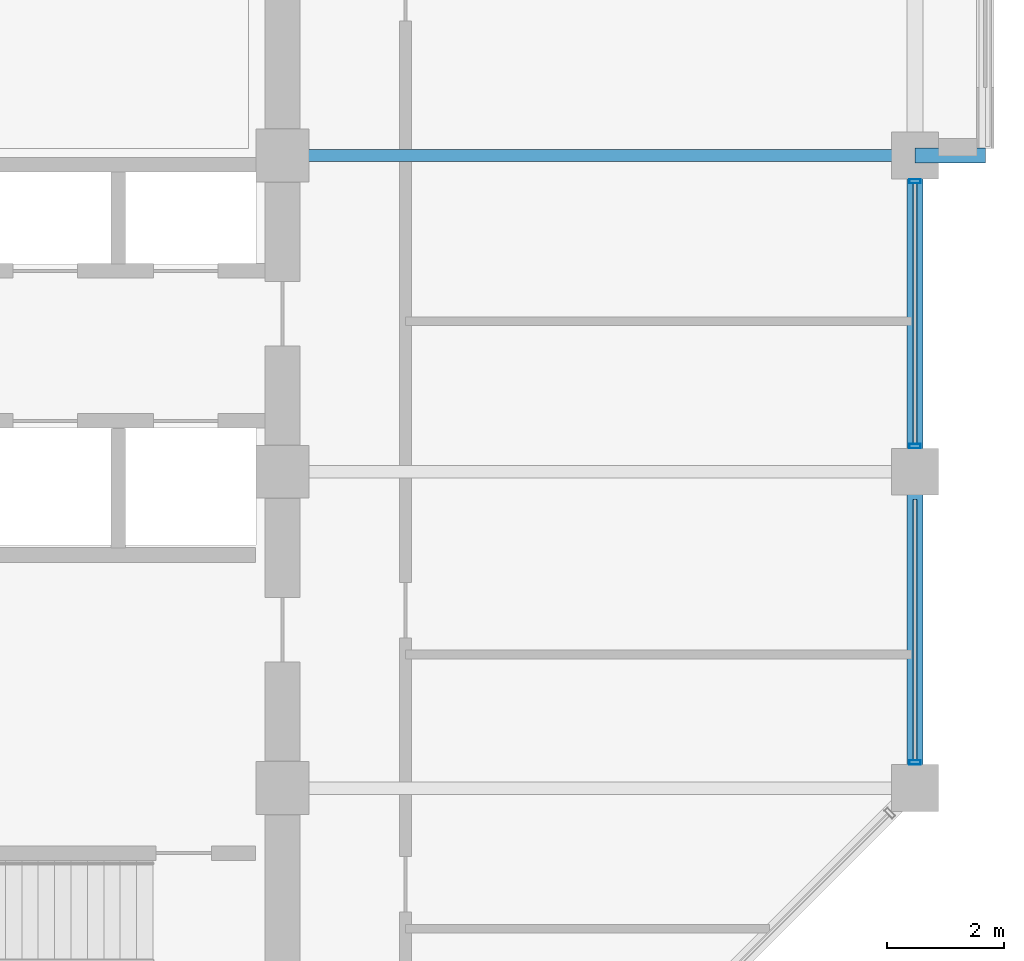
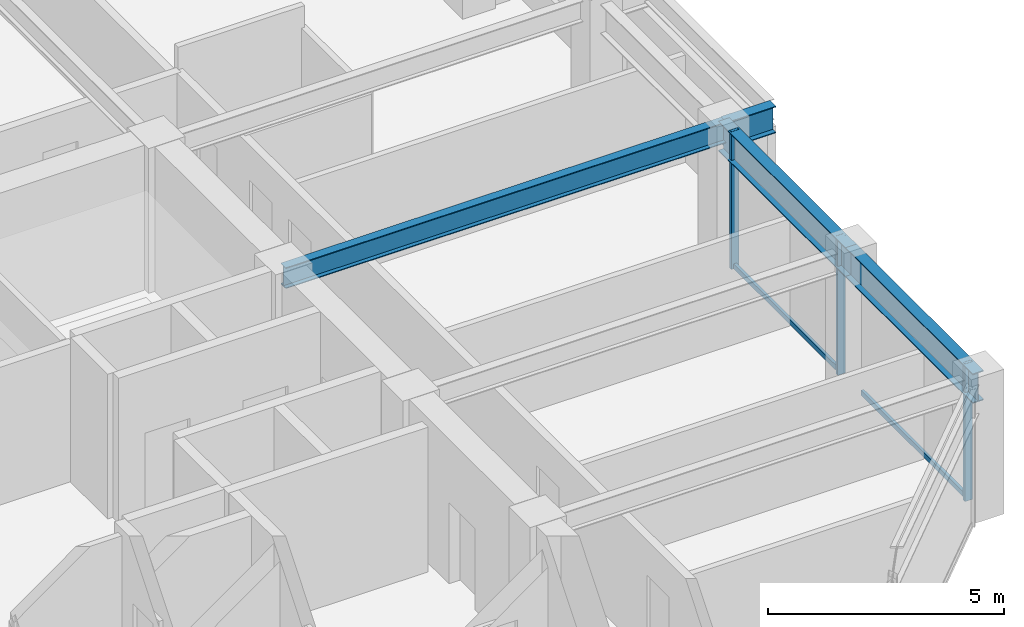
# One storey, part 14 of 32: 5 members, 4 beams, 1 element without a shape of its own.
"""IFC4 building model written with IfcOpenShell, lengths in metres."""

from ifc_helpers import new_model, si_unit, direction, frame, origin, origin_2d, place, context, subcontext, project, spatial, hollow_rectangle, i_section, extrude, material, layer, layer_set, material_profile, profile_set, type_object, element, aggregate, save


model = new_model("IFC4")

# Units and contexts
model_context = context("Model", 3, precision=1e-05, world=origin(), true_north=direction((0.0, 1.0)))
body_context = subcontext(model_context, "Body", "Model", "MODEL_VIEW")
ifc_project = project(units=[si_unit("LENGTHUNIT", "METRE"), si_unit("AREAUNIT", "SQUARE_METRE"), si_unit("VOLUMEUNIT", "CUBIC_METRE"), si_unit("PLANEANGLEUNIT", "RADIAN"), si_unit("MASSUNIT", "GRAM", prefix="KILO")], contexts=[model_context])

# Site, building, storey
site_placement = place(None, origin())
site = spatial("IfcSite", under=ifc_project, at=site_placement, CompositionType="ELEMENT")
building_placement = place(site_placement, origin())
building = spatial("IfcBuilding", under=site, at=building_placement, Name="Surkhivell Harbour Commons", CompositionType="ELEMENT")
storey_placement = place(building_placement, frame((0.0, 0.0, 234.75)))
storey = spatial("IfcBuildingStorey", under=building, at=storey_placement, Name="L61", CompositionType="ELEMENT", Elevation=234.75)

# Beams
ifc_material_1 = material(Name="Steel S460", Category="steel")
ifc_material_profile_1 = material_profile(ifc_material_1, i_section(OverallWidth=0.256103515625, OverallDepth=0.693115234375, WebThickness=0.014404296875, FlangeThickness=0.023681640625, at=origin_2d()), Name="UB686x254x170")
ifc_profile_set_1 = profile_set([ifc_material_profile_1], Name="Steel S460")
beam_type_1 = type_object("IfcBeamType", Name="BM-CNT-686", PredefinedType="BEAM", material=ifc_profile_set_1)
beam_1_placement = place(storey_placement, frame((21.60009765625, 5.39990234375, 3.223388671875), z_axis=(1.0, 0.0, 0.0), x_axis=(0.0, 1.0, 0.0)))
element("IfcBeam", 1, at=beam_1_placement, inside=storey, type_object=beam_type_1, Name="L61 Box Cantilever Outrigger (21.6,5.4)", PredefinedType="BEAM", context=body_context, shape_type="SweptSolid", body=[
    extrude(i_section(OverallWidth=0.256103515625, OverallDepth=0.693115234375, WebThickness=0.014404296875, FlangeThickness=0.023681640625, at=origin_2d()), origin(), (0.0, 0.0, 1.0), 1.199951171875),
])
ifc_material_2 = material(Name="Steel S355", Category="steel")
ifc_material_profile_2 = material_profile(ifc_material_2, i_section(OverallWidth=0.2119140625, OverallDepth=0.5439453125, WebThickness=0.0126953125, FlangeThickness=0.021240234375, at=origin_2d()), Name="UB533x210x122")
ifc_profile_set_2 = profile_set([ifc_material_profile_2], Name="Steel S355")
beam_type_2 = type_object("IfcBeamType", Name="BM-GRD-533A", PredefinedType="BEAM", material=ifc_profile_set_2)
beam_2_placement = place(storey_placement, frame((10.800048828125, 5.39990234375, 3.298095703125), z_axis=(1.0, 0.0, 0.0), x_axis=(0.0, 1.0, 0.0)))
element("IfcBeam", 2, at=beam_2_placement, inside=storey, type_object=beam_type_2, Name="L61 Floor Girder (10.8,5.4)", PredefinedType="BEAM", context=body_context, shape_type="SweptSolid", body=[
    extrude(i_section(OverallWidth=0.2119140625, OverallDepth=0.5439453125, WebThickness=0.0126953125, FlangeThickness=0.021240234375, at=origin_2d()), origin(), (0.0, 0.0, 1.0), 10.800048828125),
])
ifc_material_profile_3 = material_profile(ifc_material_2, i_section(OverallWidth=0.26806640625, OverallDepth=0.77001953125, WebThickness=0.015625, FlangeThickness=0.025390625, at=origin_2d()), Name="UB762x267x197")
ifc_profile_set_3 = profile_set([ifc_material_profile_3], Name="Steel S355")
beam_type_3 = type_object("IfcBeamType", Name="BM-SPN-762", PredefinedType="SPANDREL", material=ifc_profile_set_3)
for number, where, z_axis, x_axis, name in (
    (3, (21.60009765625, -5.39990234375, 3.18505859375), (0.0, 1.0, 0.0), (-1.0, 0.0, 0.0), "L61 Tube Spandrel (21.6,-5.4)"),
    (4, (21.60009765625, 0.0, 3.18505859375), (0.0, 1.0, 0.0), (-1.0, 0.0, 0.0), "L61 Tube Spandrel (21.6,0.0)"),
):
    element("IfcBeam", number, at=place(storey_placement, frame(where, z_axis=z_axis, x_axis=x_axis)), inside=storey, type_object=beam_type_3, Name=name, PredefinedType="SPANDREL", context=body_context, shape_type="SweptSolid", body=[
        extrude(i_section(OverallWidth=0.26806640625, OverallDepth=0.77001953125, WebThickness=0.015625, FlangeThickness=0.025390625, at=origin_2d()), origin(), (0.0, 0.0, 1.0), 5.39990234375),
    ])

# Curtain wall, members
ifc_material_3 = material(Name="Anodised pale-metal aluminium and insulated glazing", Category="aluminium")
ifc_layer = layer(ifc_material_3, 0.18994140625)
ifc_layer_set = layer_set([ifc_layer], Name="Anodised pale-metal aluminium and insulated glazing")
curtain_wall_type = type_object("IfcCurtainWallType", Name="CW-SYS-Z3", PredefinedType="NOTDEFINED", material=ifc_layer_set)
curtain_wall_placement = place(storey_placement, origin())
curtain_wall = element("IfcCurtainWall", 5, at=curtain_wall_placement, inside=storey, type_object=curtain_wall_type, Name="L61 Curtain Wall CW-L61-E02R1", PredefinedType="NOTDEFINED")
ifc_material_4 = material(Name="Anodised pale-metal aluminium alloy 6063-T6", Category="aluminium")
ifc_material_profile_4 = material_profile(ifc_material_4, hollow_rectangle(XDim=0.074951171875, YDim=0.18994140625, WallThickness=0.00390625, at=origin_2d()), Name="ALU-MULL-75x190")
ifc_profile_set_4 = profile_set([ifc_material_profile_4], Name="Anodised pale-metal aluminium alloy 6063-T6")
member_type_1 = type_object("IfcMemberType", Name="CWM-190", PredefinedType="MULLION", material=ifc_profile_set_4)
member_1_placement = place(storey_placement, frame((21.60009765625, -4.96044921875, 0.0), z_axis=(0.0, 0.0, 1.0), x_axis=(0.0, 1.0, 0.0)))
member_1 = element("IfcMember", 6, at=member_1_placement, type_object=member_type_1, Name="CW-Z3 mullion 1", PredefinedType="MULLION", context=body_context, shape_type="SweptSolid", body=[
    extrude(hollow_rectangle(XDim=0.074951171875, YDim=0.18994140625, WallThickness=0.00390625, at=origin_2d()), origin(), (0.0, 0.0, 1.0), 3.570068359375),
])
member_2_placement = place(storey_placement, frame((21.60009765625, 0.439453125, 0.0), z_axis=(0.0, 0.0, 1.0), x_axis=(0.0, 1.0, 0.0)))
member_2 = element("IfcMember", 7, at=member_2_placement, type_object=member_type_1, Name="CW-Z3 mullion 2", PredefinedType="MULLION", context=body_context, shape_type="SweptSolid", body=[
    extrude(hollow_rectangle(XDim=0.074951171875, YDim=0.18994140625, WallThickness=0.00390625, at=origin_2d()), origin(), (0.0, 0.0, 1.0), 3.570068359375),
])
member_3_placement = place(storey_placement, frame((21.60009765625, 4.96044921875, 0.0), z_axis=(0.0, 0.0, 1.0), x_axis=(0.0, 1.0, 0.0)))
member_3 = element("IfcMember", 8, at=member_3_placement, type_object=member_type_1, Name="CW-Z3 mullion 3", PredefinedType="MULLION", context=body_context, shape_type="SweptSolid", body=[
    extrude(hollow_rectangle(XDim=0.074951171875, YDim=0.18994140625, WallThickness=0.00390625, at=origin_2d()), origin(), (0.0, 0.0, 1.0), 3.570068359375),
])
ifc_material_5 = material(Name="Champagne anodised aluminium alloy 6063-T6", Category="aluminium")
ifc_material_profile_5 = material_profile(ifc_material_5, hollow_rectangle(XDim=0.070068359375, YDim=0.1298828125, WallThickness=0.00341796875, at=origin_2d()), Name="ALU-TRAN-70x130")
ifc_profile_set_5 = profile_set([ifc_material_profile_5], Name="Champagne anodised aluminium alloy 6063-T6")
member_type_2 = type_object("IfcMemberType", Name="CWT-130", PredefinedType="USERDEFINED", material=ifc_profile_set_5)
member_4_placement = place(storey_placement, frame((21.60009765625, -4.923095703125, 0.06494140625), z_axis=(0.0, 1.0, 0.0), x_axis=(-1.0, 0.0, 0.0)))
member_4 = element("IfcMember", 9, at=member_4_placement, type_object=member_type_2, Name="CW-Z3 transom 1.1", ObjectType="TRANSOM", PredefinedType="USERDEFINED", context=body_context, shape_type="SweptSolid", body=[
    extrude(hollow_rectangle(XDim=0.070068359375, YDim=0.1298828125, WallThickness=0.00341796875, at=origin_2d()), origin(), (0.0, 0.0, 1.0), 4.446044921875),
])
member_5_placement = place(storey_placement, frame((21.60009765625, 0.47705078125, 0.06494140625), z_axis=(0.0, 1.0, 0.0), x_axis=(-1.0, 0.0, 0.0)))
member_5 = element("IfcMember", 10, at=member_5_placement, type_object=member_type_2, Name="CW-Z3 transom 2.1", ObjectType="TRANSOM", PredefinedType="USERDEFINED", context=body_context, shape_type="SweptSolid", body=[
    extrude(hollow_rectangle(XDim=0.070068359375, YDim=0.1298828125, WallThickness=0.00341796875, at=origin_2d()), origin(), (0.0, 0.0, 1.0), 4.446044921875),
])
aggregate(curtain_wall, [member_1, member_4, member_2, member_3, member_5])

save(model, "model.ifc")
